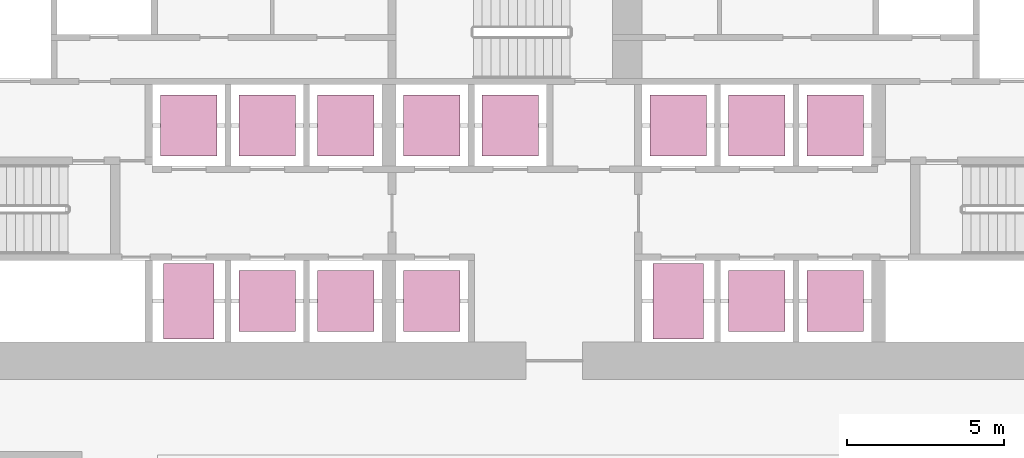
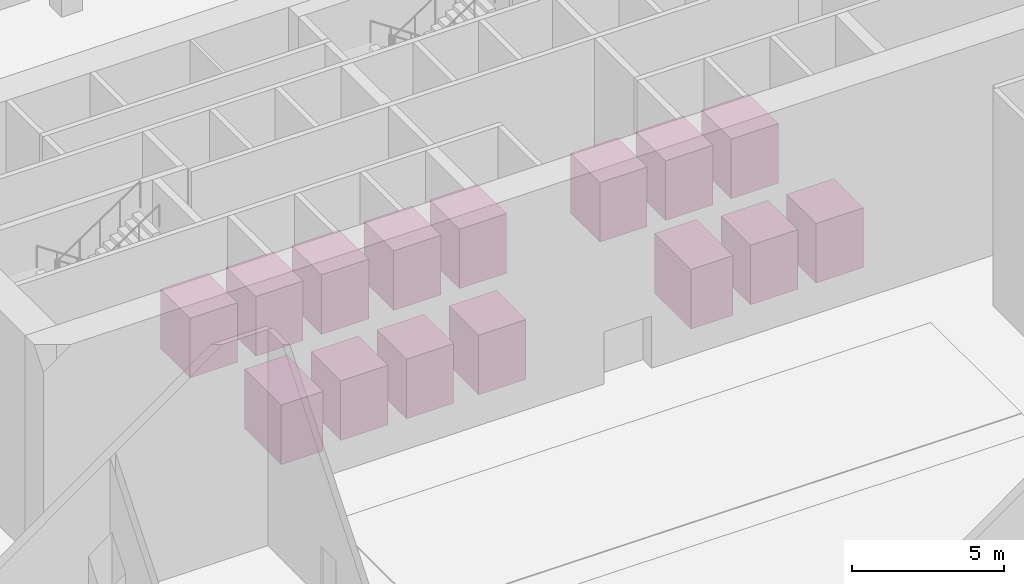
# One storey, part 43 of 43: 15 transport elements.
"""IFC4 building model written with IfcOpenShell, lengths in metres."""

import ifcopenshell
import ifcopenshell.guid

model = None  # the IFC model being written
_history = None  # IfcOwnerHistory: only IFC2X3 demands one
_inside = {}  # id of a spatial element -> (the spatial element, [elements in it])
_under = {}  # id of a project, library or spatial element -> (it, [spatial elements below it])
_declared = {}  # id of a project -> (the project, [libraries it declares])
_typed = {}  # id of a type object -> (the type object, [elements of that type])
_made_of = {}  # id of a material, layer set ... -> (it, [elements and type objects made of it])


def new_model(schema):
    """Start an empty IFC model of exactly this schema.

    Asked for "IFC4X3", IfcOpenShell would pick the latest addendum, in which some entities
    have other attributes; the version numbers below select the first issue.
    IFC2X3 requires an IfcOwnerHistory on every rooted entity: one is made here for all.
    """
    global model, _history
    if schema == "IFC4X3":
        model = ifcopenshell.file(schema_version=(4, 3, 0, 0))
    else:
        model = ifcopenshell.file(schema=schema)
    _inside.clear()
    _under.clear()
    _declared.clear()
    _typed.clear()
    _made_of.clear()
    _history = None
    if model.schema == "IFC2X3":
        org = make("IfcOrganization", Name="unknown")
        user = make(
            "IfcPersonAndOrganization",
            ThePerson=make("IfcPerson", FamilyName="unknown"),
            TheOrganization=org,
        )
        app = make(
            "IfcApplication",
            ApplicationDeveloper=org,
            Version="unknown",
            ApplicationFullName="unknown",
            ApplicationIdentifier="unknown",
        )
        _history = make(
            "IfcOwnerHistory",
            OwningUser=user,
            OwningApplication=app,
            ChangeAction="ADDED",
            CreationDate=0,
        )
    return model


def make(cls, **values):
    """One entity of the class cls with the attributes given. An attribute that is None is left unset."""
    return model.create_entity(
        cls, **{name: value for name, value in values.items() if value is not None}
    )


def rooted(cls, **values):
    """An entity with a GlobalId (a new one), such as an element, a storey or a relation."""
    return make(cls, GlobalId=ifcopenshell.guid.new(), OwnerHistory=_history, **values)


def si_unit(unit_type, name, prefix=None):
    """IfcSIUnit, for example si_unit("LENGTHUNIT", "METRE", prefix="MILLI")."""
    return make("IfcSIUnit", UnitType=unit_type, Prefix=prefix, Name=name)


def assignment(units):
    """IfcUnitAssignment: the units of a project."""
    return None if units is None else make("IfcUnitAssignment", Units=units)


def point(xyz):
    """IfcCartesianPoint."""
    return None if xyz is None else make("IfcCartesianPoint", Coordinates=xyz)


def direction(xyz):
    """IfcDirection."""
    return None if xyz is None else make("IfcDirection", DirectionRatios=xyz)


def frame(location, z_axis=None, x_axis=None):
    """IfcAxis2Placement3D, a coordinate frame: its origin and axes. An axis left out is left unset."""
    return make(
        "IfcAxis2Placement3D",
        Location=point(location),
        Axis=direction(z_axis),
        RefDirection=direction(x_axis),
    )


def frame_2d(location, x_axis=None):
    """IfcAxis2Placement2D, a coordinate frame in the plane: its origin and x axis."""
    return make(
        "IfcAxis2Placement2D", Location=point(location), RefDirection=direction(x_axis)
    )


def origin():
    """The frame at (0, 0, 0) with its axes left unset."""
    return frame((0.0, 0.0, 0.0))


def origin_2d():
    """The frame at (0, 0) in the plane with its x axis left unset."""
    return frame_2d((0.0, 0.0))


def place(relative_to, where):
    """IfcLocalPlacement: puts the frame where relative to a parent placement (None: the world)."""
    return make(
        "IfcLocalPlacement", PlacementRelTo=relative_to, RelativePlacement=where
    )


def context(
    kind, dimensions, precision=None, world=None, true_north=None, identifier=None
):
    """IfcGeometricRepresentationContext, for example the 3D "Model" context."""
    return make(
        "IfcGeometricRepresentationContext",
        ContextIdentifier=identifier,
        ContextType=kind,
        CoordinateSpaceDimension=dimensions,
        Precision=precision,
        WorldCoordinateSystem=world,
        TrueNorth=true_north,
    )


def subcontext(parent, identifier, kind, view, scale=None):
    """IfcGeometricRepresentationSubContext, for example "Body" below "Model"."""
    return make(
        "IfcGeometricRepresentationSubContext",
        ContextIdentifier=identifier,
        ContextType=kind,
        ParentContext=parent,
        TargetScale=scale,
        TargetView=view,
    )


def project(units=None, contexts=None):
    """IfcProject with its units and contexts."""
    return rooted(
        "IfcProject",
        Name="project",
        RepresentationContexts=contexts,
        UnitsInContext=assignment(units),
    )


def spatial(cls, under=None, at=None, **own):
    """A site, building, storey or space (cls), placed at a placement, below another one or the project."""
    s = rooted(cls, ObjectPlacement=at, **own)
    if under is not None:
        _under.setdefault(under.id(), (under, []))[1].append(s)
    return s


def profile(cls, at=None, kind="AREA", **sizes):
    """A parametric profile (cls). Its sizes go by their IFC names, for example OverallWidth=200.0."""
    return make(cls, ProfileType=kind, Position=at, **sizes)


def rectangle(**sizes):
    """IfcRectangleProfileDef."""
    return profile("IfcRectangleProfileDef", **sizes)


def extrude(swept, where, along, depth):
    """IfcExtrudedAreaSolid: the profile swept, set in the frame where, extruded along a direction by depth."""
    return make(
        "IfcExtrudedAreaSolid",
        SweptArea=swept,
        Position=where,
        ExtrudedDirection=direction(along),
        Depth=depth,
    )


def shape(context_of_items, identifier, shape_type, items):
    """IfcShapeRepresentation: the items that make up one representation, for example the "Body"."""
    return make(
        "IfcShapeRepresentation",
        ContextOfItems=context_of_items,
        RepresentationIdentifier=identifier,
        RepresentationType=shape_type,
        Items=items,
    )


def material(Name=None, Category=None):
    """IfcMaterial."""
    return make("IfcMaterial", Name=Name, Category=Category)


def made_of(thing, what):
    """Note that an element or type object is made of a material, layer set ...; save() writes the relation."""
    if what is not None:
        _made_of.setdefault(what.id(), (what, []))[1].append(thing)
    return thing


def type_object(cls, material=None, **own):
    """A type object (cls), such as IfcWallType, which elements share."""
    return made_of(rooted(cls, **own), material)


def element(
    cls,
    number,
    at=None,
    inside=None,
    cuts=None,
    type_object=None,
    material=None,
    context=None,
    identifier="Body",
    shape_type=None,
    held_by="IfcProductDefinitionShape",
    body=None,
    shapes=None,
    **own,
):
    """One element of the class cls, such as IfcWall. Its Tag is "e" and its number.

    at: its placement. inside: the storey or other place that contains it. cuts: it is an
    opening in that element (IfcRelVoidsElement). A single representation is given by context,
    identifier, shape_type and body (its items); several are given by shapes. held_by: the class
    of the entity that holds the representations. save() writes the other relations.
    """
    e = rooted(cls, Tag="e%d" % number, ObjectPlacement=at, **own)
    if body is not None:
        shapes = [shape(context, identifier, shape_type, body)]
    if shapes is not None:
        e.Representation = make(held_by, Representations=shapes)
    if inside is not None:
        _inside.setdefault(inside.id(), (inside, []))[1].append(e)
    if cuts is not None:
        rooted(
            "IfcRelVoidsElement", RelatingBuildingElement=cuts, RelatedOpeningElement=e
        )
    if type_object is not None:
        _typed.setdefault(type_object.id(), (type_object, []))[1].append(e)
    return made_of(e, material)


def aggregate(whole, parts):
    """IfcRelAggregates: a whole, such as a stair, and the parts it consists of."""
    return rooted("IfcRelAggregates", RelatingObject=whole, RelatedObjects=parts)


def save(model, path):
    """Write the relations noted so far, then the file.

    IfcRelAggregates (storeys below a building ...), IfcRelContainedInSpatialStructure (elements
    in a storey), IfcRelDefinesByType, IfcRelAssociatesMaterial and IfcRelDeclares: one each for
    every whole, place, type object, material and project.
    """
    for whole, parts in _under.values():
        aggregate(whole, parts)
    for where, things in _inside.values():
        rooted(
            "IfcRelContainedInSpatialStructure",
            RelatedElements=things,
            RelatingStructure=where,
        )
    for kind, things in _typed.values():
        rooted("IfcRelDefinesByType", RelatedObjects=things, RelatingType=kind)
    for what, things in _made_of.values():
        rooted("IfcRelAssociatesMaterial", RelatedObjects=things, RelatingMaterial=what)
    for by, libraries in _declared.values():
        rooted("IfcRelDeclares", RelatingContext=by, RelatedDefinitions=libraries)
    model.write(path)


model = new_model("IFC4")

# Units and contexts
model_context = context("Model", 3, precision=1e-05, world=origin(), true_north=direction((0.0, 1.0)))
body_context = subcontext(model_context, "Body", "Model", "MODEL_VIEW")
ifc_project = project(units=[si_unit("LENGTHUNIT", "METRE"), si_unit("AREAUNIT", "SQUARE_METRE"), si_unit("VOLUMEUNIT", "CUBIC_METRE"), si_unit("PLANEANGLEUNIT", "RADIAN"), si_unit("MASSUNIT", "GRAM", prefix="KILO")], contexts=[model_context])

# Site, building, storey
site_placement = place(None, origin())
site = spatial("IfcSite", under=ifc_project, at=site_placement, CompositionType="ELEMENT")
building_placement = place(site_placement, origin())
building = spatial("IfcBuilding", under=site, at=building_placement, Name="Saffron Gate Tower", CompositionType="ELEMENT")
storey_placement = place(building_placement, origin())
storey = spatial("IfcBuildingStorey", under=building, at=storey_placement, Name="L00", CompositionType="ELEMENT", Elevation=0.0)

# Transport elements
ifc_material = material(Name="Stainless steel lift car", Category="steel")
transport_element_type_1 = type_object("IfcTransportElementType", Name="LF1 School lift car 1800x1950", PredefinedType="ELEVATOR", material=ifc_material)
for number, where, z_axis, x_axis, name in (
    (1, (84.949951171875, 69.300048828125, 0.0), (0.0, 0.0, 1.0), (1.0, 0.0, 0.0), "SL1 School lift"),
    (2, (87.449951171875, 69.300048828125, 0.0), (0.0, 0.0, 1.0), (1.0, 0.0, 0.0), "SL2 School lift"),
    (3, (84.949951171875, 63.699951171875, 0.0), (0.0, 0.0, 1.0), (1.0, 0.0, 0.0), "SL3 School lift"),
):
    element("IfcTransportElement", number, at=place(storey_placement, frame(where, z_axis=z_axis, x_axis=x_axis)), inside=storey, type_object=transport_element_type_1, Name=name, PredefinedType="ELEVATOR", context=body_context, shape_type="SweptSolid", body=[
        extrude(rectangle(XDim=1.800048828125, YDim=1.949951171875, at=origin_2d()), origin(), (0.0, 0.0, 1.0), 2.39990234375),
    ])
transport_element_type_2 = type_object("IfcTransportElementType", Name="LF2 Low-rise passenger lift car 1600x2400", PredefinedType="ELEVATOR", material=ifc_material)
transport_element_1_placement = place(storey_placement, frame((77.199951171875, 63.699951171875, 0.0), z_axis=(0.0, 0.0, 1.0), x_axis=(1.0, 0.0, 0.0)))
element("IfcTransportElement", 4, at=transport_element_1_placement, inside=storey, type_object=transport_element_type_2, Name="LR1 Low-rise passenger lift", PredefinedType="ELEVATOR", context=body_context, shape_type="SweptSolid", body=[
    extrude(rectangle(XDim=1.60009765625, YDim=2.39990234375, at=origin_2d()), origin(), (0.0, 0.0, 1.0), 2.39990234375),
])
transport_element_type_3 = type_object("IfcTransportElementType", Name="LF3 Low-rise passenger lift car 1800x1950", PredefinedType="ELEVATOR", material=ifc_material)
for number, where, z_axis, x_axis, name in (
    (5, (79.699951171875, 63.699951171875, 0.0), (0.0, 0.0, 1.0), (1.0, 0.0, 0.0), "LR2 Low-rise passenger lift"),
    (6, (82.199951171875, 63.699951171875, 0.0), (0.0, 0.0, 1.0), (1.0, 0.0, 0.0), "LR3 Low-rise passenger lift"),
    (7, (77.199951171875, 69.300048828125, 0.0), (0.0, 0.0, 1.0), (1.0, 0.0, 0.0), "LR4 Low-rise passenger lift"),
    (8, (79.699951171875, 69.300048828125, 0.0), (0.0, 0.0, 1.0), (1.0, 0.0, 0.0), "LR5 Low-rise passenger lift"),
    (9, (82.199951171875, 69.300048828125, 0.0), (0.0, 0.0, 1.0), (1.0, 0.0, 0.0), "LR6 Low-rise passenger lift"),
):
    element("IfcTransportElement", number, at=place(storey_placement, frame(where, z_axis=z_axis, x_axis=x_axis)), inside=storey, type_object=transport_element_type_3, Name=name, PredefinedType="ELEVATOR", context=body_context, shape_type="SweptSolid", body=[
        extrude(rectangle(XDim=1.800048828125, YDim=1.949951171875, at=origin_2d()), origin(), (0.0, 0.0, 1.0), 2.39990234375),
    ])
transport_element_type_4 = type_object("IfcTransportElementType", Name="LF4 High-rise passenger lift car 1600x2400", PredefinedType="ELEVATOR", material=ifc_material)
transport_element_2_placement = place(storey_placement, frame((92.800048828125, 63.699951171875, 0.0), z_axis=(0.0, 0.0, 1.0), x_axis=(1.0, 0.0, 0.0)))
element("IfcTransportElement", 10, at=transport_element_2_placement, inside=storey, type_object=transport_element_type_4, Name="HR1 High-rise passenger lift", PredefinedType="ELEVATOR", context=body_context, shape_type="SweptSolid", body=[
    extrude(rectangle(XDim=1.60009765625, YDim=2.39990234375, at=origin_2d()), origin(), (0.0, 0.0, 1.0), 2.39990234375),
])
transport_element_type_5 = type_object("IfcTransportElementType", Name="LF5 High-rise passenger lift car 1800x1950", PredefinedType="ELEVATOR", material=ifc_material)
for number, where, z_axis, x_axis, name in (
    (11, (95.300048828125, 63.699951171875, 0.0), (0.0, 0.0, 1.0), (1.0, 0.0, 0.0), "HR2 High-rise passenger lift"),
    (12, (97.800048828125, 63.699951171875, 0.0), (0.0, 0.0, 1.0), (1.0, 0.0, 0.0), "HR3 High-rise passenger lift"),
    (13, (92.800048828125, 69.300048828125, 0.0), (0.0, 0.0, 1.0), (1.0, 0.0, 0.0), "HR4 High-rise passenger lift"),
    (14, (95.300048828125, 69.300048828125, 0.0), (0.0, 0.0, 1.0), (1.0, 0.0, 0.0), "HR5 High-rise passenger lift"),
    (15, (97.800048828125, 69.300048828125, 0.0), (0.0, 0.0, 1.0), (1.0, 0.0, 0.0), "HR6 High-rise passenger lift"),
):
    element("IfcTransportElement", number, at=place(storey_placement, frame(where, z_axis=z_axis, x_axis=x_axis)), inside=storey, type_object=transport_element_type_5, Name=name, PredefinedType="ELEVATOR", context=body_context, shape_type="SweptSolid", body=[
        extrude(rectangle(XDim=1.800048828125, YDim=1.949951171875, at=origin_2d()), origin(), (0.0, 0.0, 1.0), 2.39990234375),
    ])

save(model, "model.ifc")
